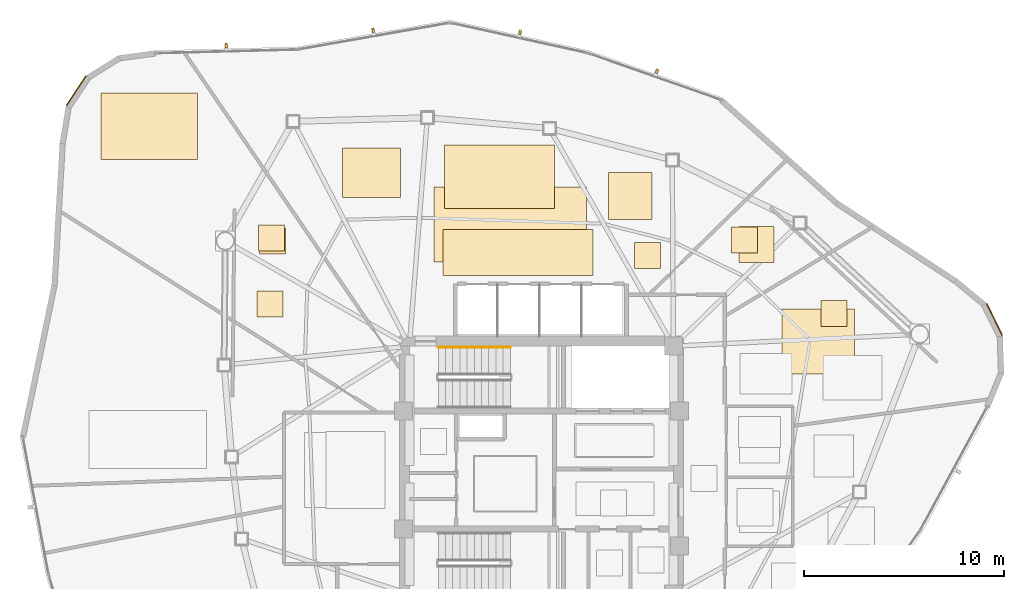
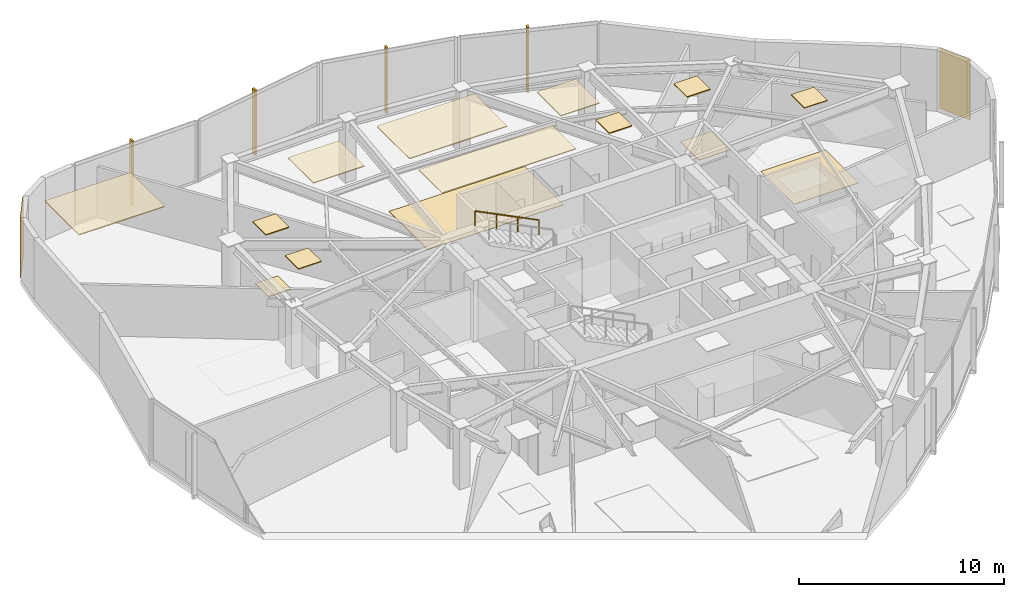
# One storey, part 13 of 13: 16 coverings, 4 shading devices, 1 railing.
"""IFC4 building model written with IfcOpenShell, lengths in metres."""

from ifc_helpers import new_model, si_unit, direction, frame, origin, origin_2d, place, context, subcontext, project, spatial, polyline, rectangle, outline, extrude, source, transform, mapped, material, layer, layer_set, type_object, type_shapes, element, save


model = new_model("IFC4")

# Units and contexts
model_context = context("Model", 3, precision=1e-05, world=origin(), true_north=direction((0.0, 1.0)))
body_context = subcontext(model_context, "Body", "Model", "MODEL_VIEW")
ifc_project = project(units=[si_unit("LENGTHUNIT", "METRE"), si_unit("AREAUNIT", "SQUARE_METRE"), si_unit("VOLUMEUNIT", "CUBIC_METRE"), si_unit("PLANEANGLEUNIT", "RADIAN"), si_unit("MASSUNIT", "GRAM", prefix="KILO")], contexts=[model_context])

# Site, building, storey
site_placement = place(None, origin())
site = spatial("IfcSite", under=ifc_project, at=site_placement, CompositionType="ELEMENT")
building_placement = place(site_placement, origin())
building = spatial("IfcBuilding", under=site, at=building_placement, Name="Tavelor Broadcast Tower", CompositionType="ELEMENT")
storey_placement = place(building_placement, frame((0.0, 0.0, 226.10009765625)))
storey = spatial("IfcBuildingStorey", under=building, at=storey_placement, Name="L53", CompositionType="ELEMENT", Elevation=226.10009765625)

# Coverings
ifc_material_1 = material(Name="Copper-Bronze Anodized Aluminium", Category="aluminium")
ifc_layer_1 = layer(ifc_material_1, 0.050048828125)
ifc_layer_set_1 = layer_set([ifc_layer_1], Name="Copper-Bronze Anodized Aluminium")
covering_type_1 = type_object("IfcCoveringType", Name="Champagne-Bronze Corner Pier Metal Cladding 50 mm", PredefinedType="CLADDING", material=ifc_layer_set_1)
for number, where, z_axis, x_axis, name in (
    (1, (26.74560546875, 63.97119140625, 0.02001953125), (0.0, 0.0, 1.0), (-0.55557023302, -0.831469612303, 0.0), "L53 Champagne-Bronze Corner Cladding 03"),
    (2, (72.65673828125, 52.53564453125, 0.02001953125), (0.0, 0.0, 1.0), (-0.442288690219, 0.896872741533, 0.0), "L53 Champagne-Bronze Corner Cladding 23"),
):
    element("IfcCovering", number, at=place(storey_placement, frame(where, z_axis=z_axis, x_axis=x_axis)), inside=storey, type_object=covering_type_1, Name=name, PredefinedType="CLADDING", context=body_context, shape_type="SweptSolid", body=[
        extrude(rectangle(XDim=1.765869140625, YDim=0.050048828125, at=origin_2d()), origin(), (0.0, 0.0, 1.0), 3.610107421875),
    ])

# Railing
ifc_material_2 = material(Name="Steel S355", Category="steel")
railing_type = type_object("IfcRailingType", Name="Continuous Brushed Stainless Handrail 900 mm", PredefinedType="HANDRAIL", material=ifc_material_2)
railing_placement = place(storey_placement, frame((48.449951171875, 51.14990234375, 2.154541015625)))
element("IfcRailing", 3, at=railing_placement, inside=storey, type_object=railing_type, Name="L53 ST1 stair handrail 2", PredefinedType="HANDRAIL", context=body_context, shape_type="SweptSolid", body=[
    extrude(rectangle(XDim=0.048095703125, YDim=0.048095703125, at=origin_2d()), frame((0.0, 0.0, 0.8759765625), z_axis=(-0.894875846893, 0.0, 0.446315156192), x_axis=(0.0, -1.0, 0.0)), (0.0, 0.0, 1.0), 4.022705078125),
    extrude(rectangle(XDim=0.0419921875, YDim=0.0419921875, at=origin_2d()), origin(), (0.0, 0.0, 1.0), 0.851806640625),
    extrude(rectangle(XDim=0.0419921875, YDim=0.0419921875, at=origin_2d()), frame((-1.199951171875, 0.0, 0.598388671875)), (0.0, 0.0, 1.0), 0.851806640625),
    extrude(rectangle(XDim=0.0419921875, YDim=0.0419921875, at=origin_2d()), frame((-2.39990234375, 0.0, 1.197021484375)), (0.0, 0.0, 1.0), 0.851806640625),
    extrude(rectangle(XDim=0.0419921875, YDim=0.0419921875, at=origin_2d()), frame((-3.599853515625, 0.0, 1.79541015625)), (0.0, 0.0, 1.0), 0.851806640625),
])

# Coverings
ifc_material_3 = material(Name="Acoustic Nylon Carpet Tile")
ifc_layer_2 = layer(ifc_material_3, 0.02001953125)
ifc_layer_set_2 = layer_set([ifc_layer_2], Name="Acoustic Nylon Carpet Tile")
covering_type_2 = type_object("IfcCoveringType", Name="Heavy-Duty Acoustic Broadcast Carpet Tile 20 mm", PredefinedType="FLOORING", material=ifc_layer_set_2)
covering_1_placement = place(storey_placement, origin())
element("IfcCovering", 4, at=covering_1_placement, inside=storey, type_object=covering_type_2, Name="L53 Broadcast Floor Finish 0783", PredefinedType="FLOORING", context=body_context, shape_type="SweptSolid", body=[
    extrude(outline(polyline([(62.022216796875, 49.818359375), (65.665283203125, 49.818359375), (65.665283203125, 53.061767578125), (62.022216796875, 53.061767578125), (62.022216796875, 49.818359375)])), origin(), (0.0, 0.0, 1.0), 0.02001953125),
])
ifc_material_4 = material(Name="Acoustic Hardwood Studio Flooring", Category="wood")
ifc_layer_3 = layer(ifc_material_4, 0.034912109375)
ifc_layer_set_3 = layer_set([ifc_layer_3], Name="Acoustic Hardwood Studio Flooring")
covering_type_3 = type_object("IfcCoveringType", Name="Isolated Studio Acoustic Elastomeric Floor Finish 35 mm", PredefinedType="FLOORING", material=ifc_layer_set_3)
covering_2_placement = place(storey_placement, origin())
element("IfcCovering", 5, at=covering_2_placement, inside=storey, type_object=covering_type_3, Name="L53 Broadcast Floor Finish 0780", PredefinedType="FLOORING", context=body_context, shape_type="SweptSolid", body=[
    extrude(outline(polyline([(35.91259765625, 55.81591796875), (37.212646484375, 55.81591796875), (37.212646484375, 57.115966796875), (35.91259765625, 57.115966796875), (35.91259765625, 55.81591796875)])), origin(), (0.0, 0.0, 1.0), 0.034912109375),
])
covering_3_placement = place(storey_placement, origin())
element("IfcCovering", 6, at=covering_3_placement, inside=storey, type_object=covering_type_3, Name="L53 Broadcast Floor Finish 0781", PredefinedType="FLOORING", context=body_context, shape_type="SweptSolid", body=[
    extrude(outline(polyline([(44.639892578125, 55.397705078125), (52.266845703125, 55.397705078125), (52.266845703125, 59.154052734375), (44.639892578125, 59.154052734375), (44.639892578125, 55.397705078125)])), origin(), (0.0, 0.0, 1.0), 0.034912109375),
])
covering_4_placement = place(storey_placement, origin())
element("IfcCovering", 7, at=covering_4_placement, inside=storey, type_object=covering_type_3, Name="L53 Broadcast Floor Finish 0782", PredefinedType="FLOORING", context=body_context, shape_type="SweptSolid", body=[
    extrude(outline(polyline([(59.88330078125, 55.376708984375), (61.62841796875, 55.376708984375), (61.62841796875, 57.1826171875), (59.88330078125, 57.1826171875), (59.88330078125, 55.376708984375)])), origin(), (0.0, 0.0, 1.0), 0.034912109375),
])
ifc_material_5 = material(Name="Acoustic Perforated Timber Baffle", Category="wood")
ifc_layer_4 = layer(ifc_material_5, 0.054931640625)
ifc_layer_set_4 = layer_set([ifc_layer_4], Name="Acoustic Perforated Timber Baffle")
covering_type_4 = type_object("IfcCoveringType", Name="Micro-Perforated Acoustic Baffle Studio Ceiling 55 mm", PredefinedType="CEILING", material=ifc_layer_set_4)
covering_5_placement = place(storey_placement, frame((0.0, 0.0, 3.594970703125)))
element("IfcCovering", 8, at=covering_5_placement, inside=storey, type_object=covering_type_4, Name="L53 Suspended Acoustic Ceiling 2116", PredefinedType="CEILING", context=body_context, shape_type="SweptSolid", body=[
    extrude(outline(polyline([(27.981689453125, 60.5263671875), (32.803955078125, 60.5263671875), (32.803955078125, 63.857421875), (27.981689453125, 63.857421875), (27.981689453125, 60.5263671875)])), origin(), (0.0, 0.0, 1.0), 0.054931640625),
])
covering_6_placement = place(storey_placement, frame((0.0, 0.0, 3.594970703125)))
element("IfcCovering", 9, at=covering_6_placement, inside=storey, type_object=covering_type_4, Name="L53 Suspended Acoustic Ceiling 2117", PredefinedType="CEILING", context=body_context, shape_type="SweptSolid", body=[
    extrude(outline(polyline([(35.868896484375, 55.96875), (37.1689453125, 55.96875), (37.1689453125, 57.268798828125), (35.868896484375, 57.268798828125), (35.868896484375, 55.96875)])), origin(), (0.0, 0.0, 1.0), 0.054931640625),
])
covering_7_placement = place(storey_placement, frame((0.0, 0.0, 3.594970703125)))
element("IfcCovering", 10, at=covering_7_placement, inside=storey, type_object=covering_type_4, Name="L53 Suspended Acoustic Ceiling 2118", PredefinedType="CEILING", context=body_context, shape_type="SweptSolid", body=[
    extrude(outline(polyline([(35.791015625, 52.667236328125), (37.091064453125, 52.667236328125), (37.091064453125, 53.96728515625), (35.791015625, 53.96728515625), (35.791015625, 52.667236328125)])), origin(), (0.0, 0.0, 1.0), 0.054931640625),
])
covering_8_placement = place(storey_placement, frame((0.0, 0.0, 3.594970703125)))
element("IfcCovering", 11, at=covering_8_placement, inside=storey, type_object=covering_type_4, Name="L53 Suspended Acoustic Ceiling 2119", PredefinedType="CEILING", context=body_context, shape_type="SweptSolid", body=[
    extrude(outline(polyline([(54.6611328125, 55.07958984375), (55.961181640625, 55.07958984375), (55.961181640625, 56.37939453125), (54.6611328125, 56.37939453125), (54.6611328125, 55.07958984375)])), origin(), (0.0, 0.0, 1.0), 0.054931640625),
])
covering_9_placement = place(storey_placement, frame((0.0, 0.0, 3.594970703125)))
element("IfcCovering", 12, at=covering_9_placement, inside=storey, type_object=covering_type_4, Name="L53 Suspended Acoustic Ceiling 2120", PredefinedType="CEILING", context=body_context, shape_type="SweptSolid", body=[
    extrude(outline(polyline([(45.081787109375, 54.744140625), (52.593505859375, 54.744140625), (52.593505859375, 57.0380859375), (45.081787109375, 57.0380859375), (45.081787109375, 54.744140625)])), origin(), (0.0, 0.0, 1.0), 0.054931640625),
])
covering_10_placement = place(storey_placement, frame((0.0, 0.0, 3.594970703125)))
element("IfcCovering", 13, at=covering_10_placement, inside=storey, type_object=covering_type_4, Name="L53 Suspended Acoustic Ceiling 2121", PredefinedType="CEILING", context=body_context, shape_type="SweptSolid", body=[
    extrude(outline(polyline([(53.365478515625, 57.541259765625), (55.54296875, 57.541259765625), (55.54296875, 59.880615234375), (53.365478515625, 59.880615234375), (53.365478515625, 57.541259765625)])), origin(), (0.0, 0.0, 1.0), 0.054931640625),
])
covering_11_placement = place(storey_placement, frame((0.0, 0.0, 3.594970703125)))
element("IfcCovering", 14, at=covering_11_placement, inside=storey, type_object=covering_type_4, Name="L53 Suspended Acoustic Ceiling 2122", PredefinedType="CEILING", context=body_context, shape_type="SweptSolid", body=[
    extrude(outline(polyline([(45.157470703125, 58.081787109375), (50.666015625, 58.081787109375), (50.666015625, 61.25537109375), (45.157470703125, 61.25537109375), (45.157470703125, 58.081787109375)])), origin(), (0.0, 0.0, 1.0), 0.054931640625),
])
covering_12_placement = place(storey_placement, frame((0.0, 0.0, 3.594970703125)))
element("IfcCovering", 15, at=covering_12_placement, inside=storey, type_object=covering_type_4, Name="L53 Suspended Acoustic Ceiling 2123", PredefinedType="CEILING", context=body_context, shape_type="SweptSolid", body=[
    extrude(outline(polyline([(40.068359375, 58.62890625), (42.954833984375, 58.62890625), (42.954833984375, 61.10546875), (40.068359375, 61.10546875), (40.068359375, 58.62890625)])), origin(), (0.0, 0.0, 1.0), 0.054931640625),
])
covering_13_placement = place(storey_placement, frame((0.0, 0.0, 3.594970703125)))
element("IfcCovering", 16, at=covering_13_placement, inside=storey, type_object=covering_type_4, Name="L53 Suspended Acoustic Ceiling 2124", PredefinedType="CEILING", context=body_context, shape_type="SweptSolid", body=[
    extrude(outline(polyline([(59.499267578125, 55.850341796875), (60.79931640625, 55.850341796875), (60.79931640625, 57.150390625), (59.499267578125, 57.150390625), (59.499267578125, 55.850341796875)])), origin(), (0.0, 0.0, 1.0), 0.054931640625),
])
ifc_material_6 = material(Name="Acoustic Mineral Fibre Tile")
ifc_layer_5 = layer(ifc_material_6, 0.0400390625)
ifc_layer_set_5 = layer_set([ifc_layer_5], Name="Acoustic Mineral Fibre Tile")
covering_type_5 = type_object("IfcCoveringType", Name="Suspended Acoustic Mineral-Fibre Office Ceiling 40 mm", PredefinedType="CEILING", material=ifc_layer_set_5)
covering_14_placement = place(storey_placement, frame((0.0, 0.0, 3.60986328125)))
element("IfcCovering", 17, at=covering_14_placement, inside=storey, type_object=covering_type_5, Name="L53 Suspended Acoustic Ceiling 2125", PredefinedType="CEILING", context=body_context, shape_type="SweptSolid", body=[
    extrude(outline(polyline([(63.973388671875, 52.175537109375), (65.2734375, 52.175537109375), (65.2734375, 53.4755859375), (63.973388671875, 53.4755859375), (63.973388671875, 52.175537109375)])), origin(), (0.0, 0.0, 1.0), 0.0400390625),
])

# Shading devices
ifc_material_7 = material(Name="Kiln-Fired Glazed Terracotta", Category="masonry")
shading_device_type = type_object("IfcShadingDeviceType", Name="Extruded Terracotta Baguette Sun-Screen 110x240", PredefinedType="JALOUSIE", material=ifc_material_7)
shared_shape = source(origin(), body_context, "Body", "SweptSolid", [
    extrude(rectangle(XDim=0.110107421875, YDim=0.239990234375, at=origin_2d()), origin(), (0.0, 0.0, 1.0), 3.889892578125),
])
type_shapes(shading_device_type, [shared_shape])
for number, where, z_axis, x_axis, name in (
    (18, (55.779296875, 64.95263671875, -0.26025390625), (0.0, 0.0, 1.0), (-0.943338546589, 0.331831864835, 0.0), "L53 Terracotta Baguette Fin 549"),
    (19, (48.94287109375, 66.900146484375, -0.26025390625), (0.0, 0.0, 1.0), (-0.976597262064, 0.215076237017, 0.0), "L53 Terracotta Baguette Fin 550"),
    (20, (41.590576171875, 66.994384765625, -0.26025390625), (0.0, 0.0, 1.0), (-0.984928742308, -0.172960609894, 0.0), "L53 Terracotta Baguette Fin 551"),
    (21, (34.241943359375, 66.234130859375, -0.26025390625), (0.0, 0.0, 1.0), (-0.999666401551, -0.025828000486, 0.0), "L53 Terracotta Baguette Fin 552"),
):
    element("IfcShadingDevice", number, at=place(storey_placement, frame(where, z_axis=z_axis, x_axis=x_axis)), inside=storey, type_object=shading_device_type, Name=name, PredefinedType="JALOUSIE", context=body_context, shape_type="MappedRepresentation", body=[
        mapped(shared_shape, transform((0.0, 0.0, 0.0), scale=1.0)),
    ])

save(model, "model.ifc")
